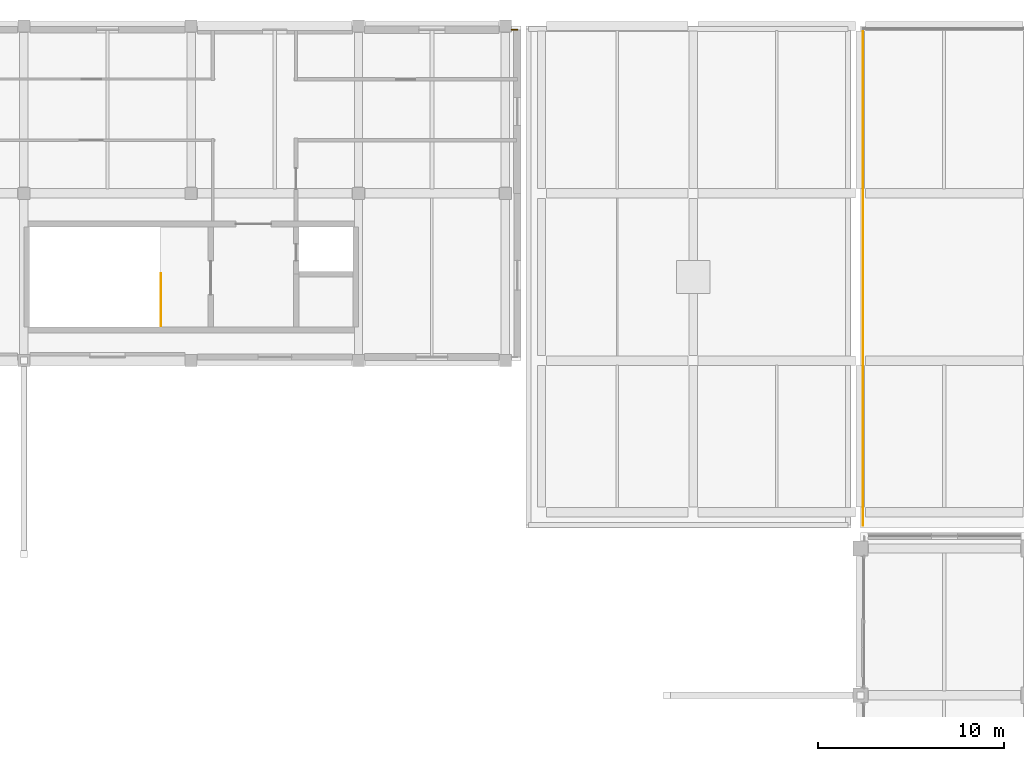
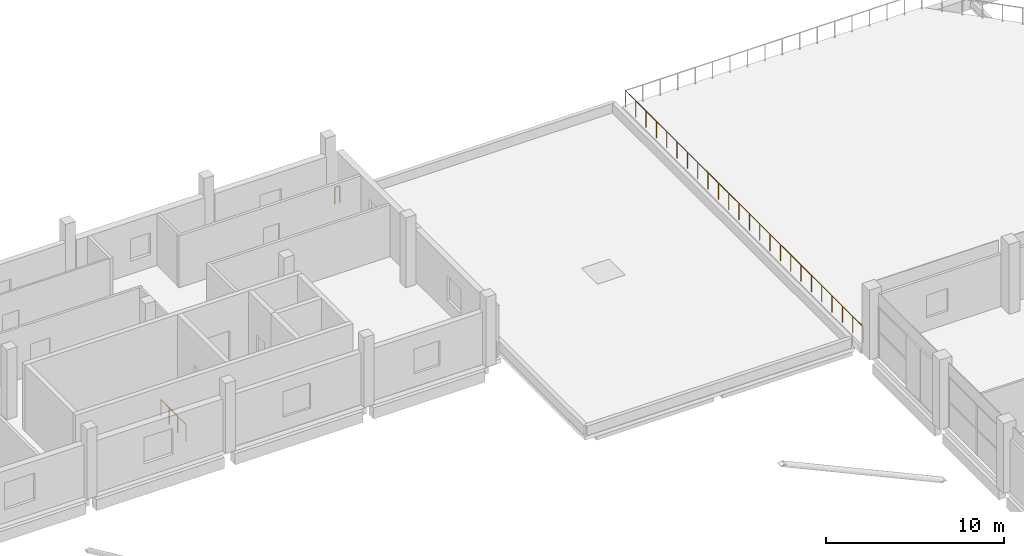
# One storey, part 81 of 82: 3 railings.
"""IFC4 building model written with IfcOpenShell, lengths in metres."""

import ifcopenshell
import ifcopenshell.guid

model = None  # the IFC model being written
_history = None  # IfcOwnerHistory: only IFC2X3 demands one
_inside = {}  # id of a spatial element -> (the spatial element, [elements in it])
_under = {}  # id of a project, library or spatial element -> (it, [spatial elements below it])
_declared = {}  # id of a project -> (the project, [libraries it declares])
_typed = {}  # id of a type object -> (the type object, [elements of that type])
_made_of = {}  # id of a material, layer set ... -> (it, [elements and type objects made of it])


def new_model(schema):
    """Start an empty IFC model of exactly this schema.

    Asked for "IFC4X3", IfcOpenShell would pick the latest addendum, in which some entities
    have other attributes; the version numbers below select the first issue.
    IFC2X3 requires an IfcOwnerHistory on every rooted entity: one is made here for all.
    """
    global model, _history
    if schema == "IFC4X3":
        model = ifcopenshell.file(schema_version=(4, 3, 0, 0))
    else:
        model = ifcopenshell.file(schema=schema)
    _inside.clear()
    _under.clear()
    _declared.clear()
    _typed.clear()
    _made_of.clear()
    _history = None
    if model.schema == "IFC2X3":
        org = make("IfcOrganization", Name="unknown")
        user = make(
            "IfcPersonAndOrganization",
            ThePerson=make("IfcPerson", FamilyName="unknown"),
            TheOrganization=org,
        )
        app = make(
            "IfcApplication",
            ApplicationDeveloper=org,
            Version="unknown",
            ApplicationFullName="unknown",
            ApplicationIdentifier="unknown",
        )
        _history = make(
            "IfcOwnerHistory",
            OwningUser=user,
            OwningApplication=app,
            ChangeAction="ADDED",
            CreationDate=0,
        )
    return model


def make(cls, **values):
    """One entity of the class cls with the attributes given. An attribute that is None is left unset."""
    return model.create_entity(
        cls, **{name: value for name, value in values.items() if value is not None}
    )


def rooted(cls, **values):
    """An entity with a GlobalId (a new one), such as an element, a storey or a relation."""
    return make(cls, GlobalId=ifcopenshell.guid.new(), OwnerHistory=_history, **values)


def si_unit(unit_type, name, prefix=None):
    """IfcSIUnit, for example si_unit("LENGTHUNIT", "METRE", prefix="MILLI")."""
    return make("IfcSIUnit", UnitType=unit_type, Prefix=prefix, Name=name)


def assignment(units):
    """IfcUnitAssignment: the units of a project."""
    return None if units is None else make("IfcUnitAssignment", Units=units)


def point(xyz):
    """IfcCartesianPoint."""
    return None if xyz is None else make("IfcCartesianPoint", Coordinates=xyz)


def direction(xyz):
    """IfcDirection."""
    return None if xyz is None else make("IfcDirection", DirectionRatios=xyz)


def frame(location, z_axis=None, x_axis=None):
    """IfcAxis2Placement3D, a coordinate frame: its origin and axes. An axis left out is left unset."""
    return make(
        "IfcAxis2Placement3D",
        Location=point(location),
        Axis=direction(z_axis),
        RefDirection=direction(x_axis),
    )


def frame_2d(location, x_axis=None):
    """IfcAxis2Placement2D, a coordinate frame in the plane: its origin and x axis."""
    return make(
        "IfcAxis2Placement2D", Location=point(location), RefDirection=direction(x_axis)
    )


def origin():
    """The frame at (0, 0, 0) with its axes left unset."""
    return frame((0.0, 0.0, 0.0))


def origin_2d():
    """The frame at (0, 0) in the plane with its x axis left unset."""
    return frame_2d((0.0, 0.0))


def place(relative_to, where):
    """IfcLocalPlacement: puts the frame where relative to a parent placement (None: the world)."""
    return make(
        "IfcLocalPlacement", PlacementRelTo=relative_to, RelativePlacement=where
    )


def context(
    kind, dimensions, precision=None, world=None, true_north=None, identifier=None
):
    """IfcGeometricRepresentationContext, for example the 3D "Model" context."""
    return make(
        "IfcGeometricRepresentationContext",
        ContextIdentifier=identifier,
        ContextType=kind,
        CoordinateSpaceDimension=dimensions,
        Precision=precision,
        WorldCoordinateSystem=world,
        TrueNorth=true_north,
    )


def subcontext(parent, identifier, kind, view, scale=None):
    """IfcGeometricRepresentationSubContext, for example "Body" below "Model"."""
    return make(
        "IfcGeometricRepresentationSubContext",
        ContextIdentifier=identifier,
        ContextType=kind,
        ParentContext=parent,
        TargetScale=scale,
        TargetView=view,
    )


def project(units=None, contexts=None):
    """IfcProject with its units and contexts."""
    return rooted(
        "IfcProject",
        Name="project",
        RepresentationContexts=contexts,
        UnitsInContext=assignment(units),
    )


def spatial(cls, under=None, at=None, **own):
    """A site, building, storey or space (cls), placed at a placement, below another one or the project."""
    s = rooted(cls, ObjectPlacement=at, **own)
    if under is not None:
        _under.setdefault(under.id(), (under, []))[1].append(s)
    return s


def profile(cls, at=None, kind="AREA", **sizes):
    """A parametric profile (cls). Its sizes go by their IFC names, for example OverallWidth=200.0."""
    return make(cls, ProfileType=kind, Position=at, **sizes)


def circle(**sizes):
    """IfcCircleProfileDef."""
    return profile("IfcCircleProfileDef", **sizes)


def extrude(swept, where, along, depth):
    """IfcExtrudedAreaSolid: the profile swept, set in the frame where, extruded along a direction by depth."""
    return make(
        "IfcExtrudedAreaSolid",
        SweptArea=swept,
        Position=where,
        ExtrudedDirection=direction(along),
        Depth=depth,
    )


def shape(context_of_items, identifier, shape_type, items):
    """IfcShapeRepresentation: the items that make up one representation, for example the "Body"."""
    return make(
        "IfcShapeRepresentation",
        ContextOfItems=context_of_items,
        RepresentationIdentifier=identifier,
        RepresentationType=shape_type,
        Items=items,
    )


def material(Name=None, Category=None):
    """IfcMaterial."""
    return make("IfcMaterial", Name=Name, Category=Category)


def made_of(thing, what):
    """Note that an element or type object is made of a material, layer set ...; save() writes the relation."""
    if what is not None:
        _made_of.setdefault(what.id(), (what, []))[1].append(thing)
    return thing


def type_object(cls, material=None, **own):
    """A type object (cls), such as IfcWallType, which elements share."""
    return made_of(rooted(cls, **own), material)


def element(
    cls,
    number,
    at=None,
    inside=None,
    cuts=None,
    type_object=None,
    material=None,
    context=None,
    identifier="Body",
    shape_type=None,
    held_by="IfcProductDefinitionShape",
    body=None,
    shapes=None,
    **own,
):
    """One element of the class cls, such as IfcWall. Its Tag is "e" and its number.

    at: its placement. inside: the storey or other place that contains it. cuts: it is an
    opening in that element (IfcRelVoidsElement). A single representation is given by context,
    identifier, shape_type and body (its items); several are given by shapes. held_by: the class
    of the entity that holds the representations. save() writes the other relations.
    """
    e = rooted(cls, Tag="e%d" % number, ObjectPlacement=at, **own)
    if body is not None:
        shapes = [shape(context, identifier, shape_type, body)]
    if shapes is not None:
        e.Representation = make(held_by, Representations=shapes)
    if inside is not None:
        _inside.setdefault(inside.id(), (inside, []))[1].append(e)
    if cuts is not None:
        rooted(
            "IfcRelVoidsElement", RelatingBuildingElement=cuts, RelatedOpeningElement=e
        )
    if type_object is not None:
        _typed.setdefault(type_object.id(), (type_object, []))[1].append(e)
    return made_of(e, material)


def aggregate(whole, parts):
    """IfcRelAggregates: a whole, such as a stair, and the parts it consists of."""
    return rooted("IfcRelAggregates", RelatingObject=whole, RelatedObjects=parts)


def save(model, path):
    """Write the relations noted so far, then the file.

    IfcRelAggregates (storeys below a building ...), IfcRelContainedInSpatialStructure (elements
    in a storey), IfcRelDefinesByType, IfcRelAssociatesMaterial and IfcRelDeclares: one each for
    every whole, place, type object, material and project.
    """
    for whole, parts in _under.values():
        aggregate(whole, parts)
    for where, things in _inside.values():
        rooted(
            "IfcRelContainedInSpatialStructure",
            RelatedElements=things,
            RelatingStructure=where,
        )
    for kind, things in _typed.values():
        rooted("IfcRelDefinesByType", RelatedObjects=things, RelatingType=kind)
    for what, things in _made_of.values():
        rooted("IfcRelAssociatesMaterial", RelatedObjects=things, RelatingMaterial=what)
    for by, libraries in _declared.values():
        rooted("IfcRelDeclares", RelatingContext=by, RelatedDefinitions=libraries)
    model.write(path)


model = new_model("IFC4")

# Units and contexts
model_context = context("Model", 3, precision=1e-05, world=origin(), true_north=direction((0.0, 1.0)))
body_context = subcontext(model_context, "Body", "Model", "MODEL_VIEW")
ifc_project = project(units=[si_unit("LENGTHUNIT", "METRE"), si_unit("AREAUNIT", "SQUARE_METRE"), si_unit("VOLUMEUNIT", "CUBIC_METRE"), si_unit("PLANEANGLEUNIT", "RADIAN"), si_unit("MASSUNIT", "GRAM", prefix="KILO"), si_unit("THERMODYNAMICTEMPERATUREUNIT", "KELVIN"), si_unit("POWERUNIT", "WATT")], contexts=[model_context])

# Site, building, storey
site_placement = place(None, origin())
site = spatial("IfcSite", under=ifc_project, at=site_placement, CompositionType="ELEMENT")
building_placement = place(site_placement, origin())
building = spatial("IfcBuilding", under=site, at=building_placement, Name="Sindhuravela Promenade Stadium", CompositionType="ELEMENT")
storey_placement = place(building_placement, frame((0.0, 0.0, 14.39990234375)))
storey = spatial("IfcBuildingStorey", under=building, at=storey_placement, Name="L03", CompositionType="ELEMENT", Elevation=14.39990234375)

# Railings
ifc_material = material(Name="Architectural wrought steel E350", Category="steel")
railing_type_1 = type_object("IfcRailingType", Name="RL-BAL-1150", PredefinedType="BALUSTRADE", material=ifc_material)
railing_1_placement = place(storey_placement, frame((180.139892578125, 126.139892578125, 0.0)))
element("IfcRailing", 1, at=railing_1_placement, inside=storey, type_object=railing_type_1, Name="Terrace wrought balustrade BL01-25", PredefinedType="BALUSTRADE", context=body_context, shape_type="SweptSolid", body=[
    extrude(circle(Radius=0.02392578125, at=origin_2d()), frame((0.0, 0.0, 1.1259765625), z_axis=(0.0, 1.0, 0.0), x_axis=(-1.0, 0.0, 0.0)), (0.0, 0.0, 1.0), 26.72021484375),
    extrude(circle(Radius=0.02099609375, at=origin_2d()), origin(), (0.0, 0.0, 1.0), 1.101806640625),
    extrude(circle(Radius=0.02099609375, at=origin_2d()), frame((0.0, 1.161865234375, 0.0)), (0.0, 0.0, 1.0), 1.101806640625),
    extrude(circle(Radius=0.02099609375, at=origin_2d()), frame((0.0, 2.323486328125, 0.0)), (0.0, 0.0, 1.0), 1.101806640625),
    extrude(circle(Radius=0.02099609375, at=origin_2d()), frame((0.0, 3.4853515625, 0.0)), (0.0, 0.0, 1.0), 1.101806640625),
    extrude(circle(Radius=0.02099609375, at=origin_2d()), frame((0.0, 4.64697265625, 0.0)), (0.0, 0.0, 1.0), 1.101806640625),
    extrude(circle(Radius=0.02099609375, at=origin_2d()), frame((0.0, 5.808837890625, 0.0)), (0.0, 0.0, 1.0), 1.101806640625),
    extrude(circle(Radius=0.02099609375, at=origin_2d()), frame((0.0, 6.970458984375, 0.0)), (0.0, 0.0, 1.0), 1.101806640625),
    extrude(circle(Radius=0.02099609375, at=origin_2d()), frame((0.0, 8.13232421875, 0.0)), (0.0, 0.0, 1.0), 1.101806640625),
    extrude(circle(Radius=0.02099609375, at=origin_2d()), frame((0.0, 9.2939453125, 0.0)), (0.0, 0.0, 1.0), 1.101806640625),
    extrude(circle(Radius=0.02099609375, at=origin_2d()), frame((0.0, 10.455810546875, 0.0)), (0.0, 0.0, 1.0), 1.101806640625),
    extrude(circle(Radius=0.02099609375, at=origin_2d()), frame((0.0, 11.617431640625, 0.0)), (0.0, 0.0, 1.0), 1.101806640625),
    extrude(circle(Radius=0.02099609375, at=origin_2d()), frame((0.0, 12.779296875, 0.0)), (0.0, 0.0, 1.0), 1.101806640625),
    extrude(circle(Radius=0.02099609375, at=origin_2d()), frame((0.0, 13.94091796875, 0.0)), (0.0, 0.0, 1.0), 1.101806640625),
    extrude(circle(Radius=0.02099609375, at=origin_2d()), frame((0.0, 15.102783203125, 0.0)), (0.0, 0.0, 1.0), 1.101806640625),
    extrude(circle(Radius=0.02099609375, at=origin_2d()), frame((0.0, 16.264404296875, 0.0)), (0.0, 0.0, 1.0), 1.101806640625),
    extrude(circle(Radius=0.02099609375, at=origin_2d()), frame((0.0, 17.42626953125, 0.0)), (0.0, 0.0, 1.0), 1.101806640625),
    extrude(circle(Radius=0.02099609375, at=origin_2d()), frame((0.0, 18.587890625, 0.0)), (0.0, 0.0, 1.0), 1.101806640625),
    extrude(circle(Radius=0.02099609375, at=origin_2d()), frame((0.0, 19.749755859375, 0.0)), (0.0, 0.0, 1.0), 1.101806640625),
    extrude(circle(Radius=0.02099609375, at=origin_2d()), frame((0.0, 20.911376953125, 0.0)), (0.0, 0.0, 1.0), 1.101806640625),
    extrude(circle(Radius=0.02099609375, at=origin_2d()), frame((0.0, 22.0732421875, 0.0)), (0.0, 0.0, 1.0), 1.101806640625),
    extrude(circle(Radius=0.02099609375, at=origin_2d()), frame((0.0, 23.23486328125, 0.0)), (0.0, 0.0, 1.0), 1.101806640625),
    extrude(circle(Radius=0.02099609375, at=origin_2d()), frame((0.0, 24.396728515625, 0.0)), (0.0, 0.0, 1.0), 1.101806640625),
    extrude(circle(Radius=0.02099609375, at=origin_2d()), frame((0.0, 25.558349609375, 0.0)), (0.0, 0.0, 1.0), 1.101806640625),
    extrude(circle(Radius=0.02099609375, at=origin_2d()), frame((0.0, 26.72021484375, 0.0)), (0.0, 0.0, 1.0), 1.101806640625),
])
railing_type_2 = type_object("IfcRailingType", Name="RL-GRD-1150", PredefinedType="GUARDRAIL", material=ifc_material)
railing_2_placement = place(storey_placement, frame((161.22998046875, 152.800048828125, 0.0)))
element("IfcRailing", 2, at=railing_2_placement, inside=storey, type_object=railing_type_2, Name="Perimeter edge return guard NORTH L03", PredefinedType="GUARDRAIL", context=body_context, shape_type="SweptSolid", body=[
    extrude(circle(Radius=0.02392578125, at=origin_2d()), frame((0.0, 0.0, 1.1259765625), z_axis=(1.0, 0.0, 0.0), x_axis=(0.0, 1.0, 0.0)), (0.0, 0.0, 1.0), 0.320068359375),
    extrude(circle(Radius=0.02099609375, at=origin_2d()), origin(), (0.0, 0.0, 1.0), 1.101806640625),
    extrude(circle(Radius=0.02099609375, at=origin_2d()), frame((0.320068359375, 0.0, 0.0)), (0.0, 0.0, 1.0), 1.101806640625),
])
railing_3_placement = place(storey_placement, frame((142.3798828125, 136.860107421875, 0.0)))
element("IfcRailing", 3, at=railing_3_placement, inside=storey, type_object=railing_type_2, Name="Stair ST10 top landing well guard (L03)", PredefinedType="GUARDRAIL", context=body_context, shape_type="SweptSolid", body=[
    extrude(circle(Radius=0.02392578125, at=origin_2d()), frame((0.0, 0.0, 1.1259765625), z_axis=(0.0, 1.0, 0.0), x_axis=(-1.0, 0.0, 0.0)), (0.0, 0.0, 1.0), 2.829833984375),
    extrude(circle(Radius=0.02099609375, at=origin_2d()), origin(), (0.0, 0.0, 1.0), 1.101806640625),
    extrude(circle(Radius=0.02099609375, at=origin_2d()), frame((0.0, 0.943359375, 0.0)), (0.0, 0.0, 1.0), 1.101806640625),
    extrude(circle(Radius=0.02099609375, at=origin_2d()), frame((0.0, 1.886474609375, 0.0)), (0.0, 0.0, 1.0), 1.101806640625),
    extrude(circle(Radius=0.02099609375, at=origin_2d()), frame((0.0, 2.829833984375, 0.0)), (0.0, 0.0, 1.0), 1.101806640625),
])

save(model, "model.ifc")
